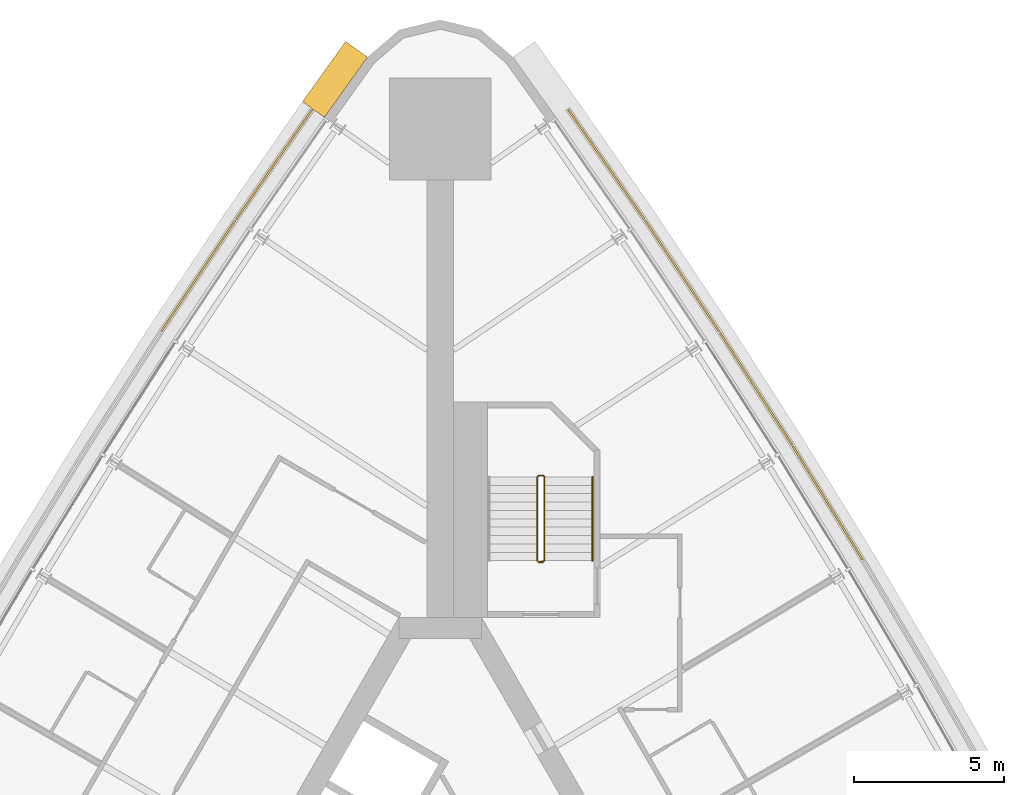
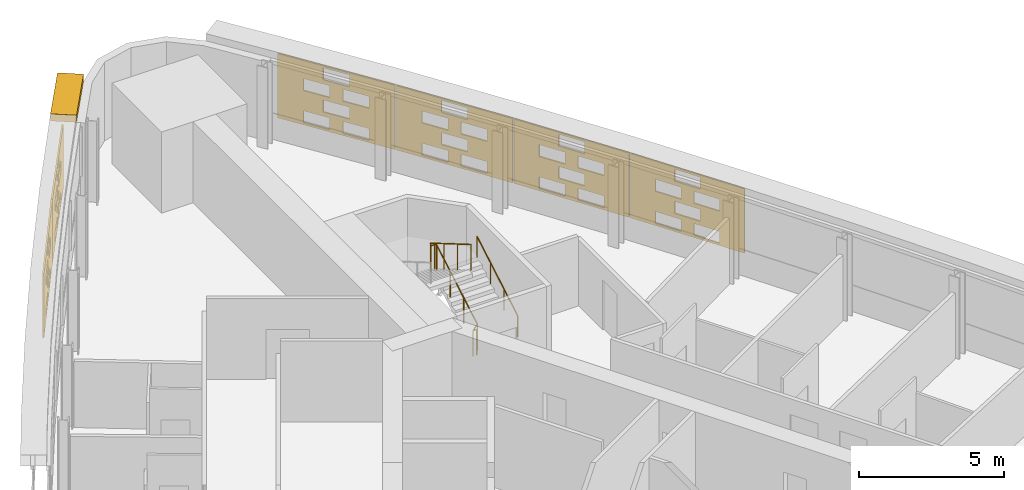
# One storey, part 15 of 15: 7 shading devices, 2 railings.
"""IFC4 building model written with IfcOpenShell, lengths in metres."""

from ifc_helpers import new_model, si_unit, direction, frame, origin, origin_2d, place, context, subcontext, project, spatial, polyline, circle, outline, extrude, material, material_profile, profile_set, type_object, element, save


model = new_model("IFC4")

# Units and contexts
model_context = context("Model", 3, precision=1e-05, world=origin(), true_north=direction((0.0, 1.0)))
body_context = subcontext(model_context, "Body", "Model", "MODEL_VIEW")
ifc_project = project(units=[si_unit("LENGTHUNIT", "METRE"), si_unit("AREAUNIT", "SQUARE_METRE"), si_unit("VOLUMEUNIT", "CUBIC_METRE"), si_unit("PLANEANGLEUNIT", "RADIAN"), si_unit("MASSUNIT", "GRAM", prefix="KILO")], contexts=[model_context])

# Site, building, storey
site_placement = place(None, origin())
site = spatial("IfcSite", under=ifc_project, at=site_placement, CompositionType="ELEMENT")
building_placement = place(site_placement, origin())
building = spatial("IfcBuilding", under=site, at=building_placement, Name="Noor Cloister Tower", CompositionType="ELEMENT")
storey_placement = place(building_placement, frame((0.0, 0.0, 31.199951171875)))
storey = spatial("IfcBuildingStorey", under=building, at=storey_placement, Name="L07", CompositionType="ELEMENT", Elevation=31.199951171875)

# Shading devices
ifc_material_1 = material(Name="Limestone", Category="masonry")
ifc_material_profile = material_profile(ifc_material_1, outline(polyline([(-2.22998046875, -1.35009765625), (2.22998046875, -1.35009765625), (2.22998046875, 1.35009765625), (-2.22998046875, 1.35009765625), (-2.22998046875, -1.35009765625)]), holes=[polyline([(-1.25, -1.263427734375), (-0.25, -1.263427734375), (-0.25, -0.76171875), (-1.25, -0.76171875), (-1.25, -1.263427734375)]), polyline([(0.25, -1.263427734375), (1.25, -1.263427734375), (1.25, -0.76171875), (0.25, -0.76171875), (0.25, -1.263427734375)]), polyline([(-0.5, -0.58837890625), (0.5, -0.58837890625), (0.5, -0.086669921875), (-0.5, -0.086669921875), (-0.5, -0.58837890625)]), polyline([(-1.25, 0.086669921875), (-0.25, 0.086669921875), (-0.25, 0.58837890625), (-1.25, 0.58837890625), (-1.25, 0.086669921875)]), polyline([(0.25, 0.086669921875), (1.25, 0.086669921875), (1.25, 0.58837890625), (0.25, 0.58837890625), (0.25, 0.086669921875)]), polyline([(-0.5, 0.76171875), (0.5, 0.76171875), (0.5, 1.263427734375), (-0.5, 1.263427734375), (-0.5, 0.76171875)])]), Name="Woven screen 25 percent open")
ifc_profile_set = profile_set([ifc_material_profile], Name="Limestone")
shading_device_type_1 = type_object("IfcShadingDeviceType", Name="SCREEN woven limestone 25 percent open", PredefinedType="USERDEFINED", material=ifc_profile_set)
shading_device_1_placement = place(storey_placement, frame((-5.52294921875, 26.586669921875, 1.85009765625), z_axis=(-0.821899128607, 0.56963305943, 0.0), x_axis=(-0.56963305943, -0.821899128607, 0.0)))
element("IfcShadingDevice", 1, at=shading_device_1_placement, inside=storey, type_object=shading_device_type_1, Name="SCREEN L07 1", ObjectType="SCREEN", PredefinedType="USERDEFINED", context=body_context, shape_type="SweptSolid", body=[
    extrude(outline(polyline([(-2.22998046875, -1.35009765625), (2.22998046875, -1.35009765625), (2.22998046875, 1.35009765625), (-2.22998046875, 1.35009765625), (-2.22998046875, -1.35009765625)]), holes=[polyline([(-1.25, -1.263427734375), (-0.25, -1.263427734375), (-0.25, -0.76171875), (-1.25, -0.76171875), (-1.25, -1.263427734375)]), polyline([(0.25, -1.263427734375), (1.25, -1.263427734375), (1.25, -0.76171875), (0.25, -0.76171875), (0.25, -1.263427734375)]), polyline([(-0.5, -0.58837890625), (0.5, -0.58837890625), (0.5, -0.086669921875), (-0.5, -0.086669921875), (-0.5, -0.58837890625)]), polyline([(-1.25, 0.086669921875), (-0.25, 0.086669921875), (-0.25, 0.58837890625), (-1.25, 0.58837890625), (-1.25, 0.086669921875)]), polyline([(0.25, 0.086669921875), (1.25, 0.086669921875), (1.25, 0.58837890625), (0.25, 0.58837890625), (0.25, 0.086669921875)]), polyline([(-0.5, 0.76171875), (0.5, 0.76171875), (0.5, 1.263427734375), (-0.5, 1.263427734375), (-0.5, 0.76171875)])]), origin(), (0.0, 0.0, 1.0), 0.06005859375),
])
shading_device_2_placement = place(storey_placement, frame((-8.060302734375, 22.8603515625, 1.85009765625), z_axis=(-0.832050294338, 0.554700196225, 0.0), x_axis=(-0.554700196225, -0.832050294338, 0.0)))
element("IfcShadingDevice", 2, at=shading_device_2_placement, inside=storey, type_object=shading_device_type_1, Name="SCREEN L07 2", ObjectType="SCREEN", PredefinedType="USERDEFINED", context=body_context, shape_type="SweptSolid", body=[
    extrude(outline(polyline([(-2.22998046875, -1.35009765625), (2.22998046875, -1.35009765625), (2.22998046875, 1.35009765625), (-2.22998046875, 1.35009765625), (-2.22998046875, -1.35009765625)]), holes=[polyline([(-1.25, -1.263427734375), (-0.25, -1.263427734375), (-0.25, -0.76171875), (-1.25, -0.76171875), (-1.25, -1.263427734375)]), polyline([(0.25, -1.263427734375), (1.25, -1.263427734375), (1.25, -0.76171875), (0.25, -0.76171875), (0.25, -1.263427734375)]), polyline([(-0.5, -0.58837890625), (0.5, -0.58837890625), (0.5, -0.086669921875), (-0.5, -0.086669921875), (-0.5, -0.58837890625)]), polyline([(-1.25, 0.086669921875), (-0.25, 0.086669921875), (-0.25, 0.58837890625), (-1.25, 0.58837890625), (-1.25, 0.086669921875)]), polyline([(0.25, 0.086669921875), (1.25, 0.086669921875), (1.25, 0.58837890625), (0.25, 0.58837890625), (0.25, 0.086669921875)]), polyline([(-0.5, 0.76171875), (0.5, 0.76171875), (0.5, 1.263427734375), (-0.5, 1.263427734375), (-0.5, 0.76171875)])]), origin(), (0.0, 0.0, 1.0), 0.059814453125),
])
for number, where, z_axis, x_axis, name in (
    (3, (12.92529296875, 15.269775390625, 1.85009765625), (0.852075986308, 0.523418105875, 0.0), (-0.523418105875, 0.852075986308, 0.0), "SCREEN L07 7"),
    (4, (10.528076171875, 19.087646484375, 1.85009765625), (0.841310503427, 0.540552159207, 0.0), (-0.540552159207, 0.841310503427, 0.0), "SCREEN L07 8"),
):
    element("IfcShadingDevice", number, at=place(storey_placement, frame(where, z_axis=z_axis, x_axis=x_axis)), inside=storey, type_object=shading_device_type_1, Name=name, ObjectType="SCREEN", PredefinedType="USERDEFINED", context=body_context, shape_type="SweptSolid", body=[
        extrude(outline(polyline([(-2.22998046875, -1.35009765625), (2.22998046875, -1.35009765625), (2.22998046875, 1.35009765625), (-2.22998046875, 1.35009765625), (-2.22998046875, -1.35009765625)]), holes=[polyline([(-1.25, -1.263427734375), (-0.25, -1.263427734375), (-0.25, -0.76171875), (-1.25, -0.76171875), (-1.25, -1.263427734375)]), polyline([(0.25, -1.263427734375), (1.25, -1.263427734375), (1.25, -0.76171875), (0.25, -0.76171875), (0.25, -1.263427734375)]), polyline([(-0.5, -0.58837890625), (0.5, -0.58837890625), (0.5, -0.086669921875), (-0.5, -0.086669921875), (-0.5, -0.58837890625)]), polyline([(-1.25, 0.086669921875), (-0.25, 0.086669921875), (-0.25, 0.58837890625), (-1.25, 0.58837890625), (-1.25, 0.086669921875)]), polyline([(0.25, 0.086669921875), (1.25, 0.086669921875), (1.25, 0.58837890625), (0.25, 0.58837890625), (0.25, 0.086669921875)]), polyline([(-0.5, 0.76171875), (0.5, 0.76171875), (0.5, 1.263427734375), (-0.5, 1.263427734375), (-0.5, 0.76171875)])]), origin(), (0.0, 0.0, 1.0), 0.06005859375),
    ])
shading_device_3_placement = place(storey_placement, frame((8.060302734375, 22.8603515625, 1.85009765625), z_axis=(0.832050294338, 0.554700196225, 0.0), x_axis=(-0.554700196225, 0.832050294338, 0.0)))
element("IfcShadingDevice", 5, at=shading_device_3_placement, inside=storey, type_object=shading_device_type_1, Name="SCREEN L07 9", ObjectType="SCREEN", PredefinedType="USERDEFINED", context=body_context, shape_type="SweptSolid", body=[
    extrude(outline(polyline([(-2.22998046875, -1.35009765625), (2.22998046875, -1.35009765625), (2.22998046875, 1.35009765625), (-2.22998046875, 1.35009765625), (-2.22998046875, -1.35009765625)]), holes=[polyline([(-1.25, -1.263427734375), (-0.25, -1.263427734375), (-0.25, -0.76171875), (-1.25, -0.76171875), (-1.25, -1.263427734375)]), polyline([(0.25, -1.263427734375), (1.25, -1.263427734375), (1.25, -0.76171875), (0.25, -0.76171875), (0.25, -1.263427734375)]), polyline([(-0.5, -0.58837890625), (0.5, -0.58837890625), (0.5, -0.086669921875), (-0.5, -0.086669921875), (-0.5, -0.58837890625)]), polyline([(-1.25, 0.086669921875), (-0.25, 0.086669921875), (-0.25, 0.58837890625), (-1.25, 0.58837890625), (-1.25, 0.086669921875)]), polyline([(0.25, 0.086669921875), (1.25, 0.086669921875), (1.25, 0.58837890625), (0.25, 0.58837890625), (0.25, 0.086669921875)]), polyline([(-0.5, 0.76171875), (0.5, 0.76171875), (0.5, 1.263427734375), (-0.5, 1.263427734375), (-0.5, 0.76171875)])]), origin(), (0.0, 0.0, 1.0), 0.059814453125),
])
shading_device_4_placement = place(storey_placement, frame((5.52294921875, 26.586669921875, 1.85009765625), z_axis=(0.821899128607, 0.56963305943, 0.0), x_axis=(-0.56963305943, 0.821899128607, 0.0)))
element("IfcShadingDevice", 6, at=shading_device_4_placement, inside=storey, type_object=shading_device_type_1, Name="SCREEN L07 10", ObjectType="SCREEN", PredefinedType="USERDEFINED", context=body_context, shape_type="SweptSolid", body=[
    extrude(outline(polyline([(-2.22998046875, -1.35009765625), (2.22998046875, -1.35009765625), (2.22998046875, 1.35009765625), (-2.22998046875, 1.35009765625), (-2.22998046875, -1.35009765625)]), holes=[polyline([(-1.25, -1.263427734375), (-0.25, -1.263427734375), (-0.25, -0.76171875), (-1.25, -0.76171875), (-1.25, -1.263427734375)]), polyline([(0.25, -1.263427734375), (1.25, -1.263427734375), (1.25, -0.76171875), (0.25, -0.76171875), (0.25, -1.263427734375)]), polyline([(-0.5, -0.58837890625), (0.5, -0.58837890625), (0.5, -0.086669921875), (-0.5, -0.086669921875), (-0.5, -0.58837890625)]), polyline([(-1.25, 0.086669921875), (-0.25, 0.086669921875), (-0.25, 0.58837890625), (-1.25, 0.58837890625), (-1.25, 0.086669921875)]), polyline([(0.25, 0.086669921875), (1.25, 0.086669921875), (1.25, 0.58837890625), (0.25, 0.58837890625), (0.25, 0.086669921875)]), polyline([(-0.5, 0.76171875), (0.5, 0.76171875), (0.5, 1.263427734375), (-0.5, 1.263427734375), (-0.5, 0.76171875)])]), origin(), (0.0, 0.0, 1.0), 0.06005859375),
])
ifc_material_2 = material(Name="Limestone", Category="masonry")
shading_device_type_2 = type_object("IfcShadingDeviceType", Name="SUNSHADE limestone band 900", PredefinedType="USERDEFINED", material=ifc_material_2)
shading_device_5_placement = place(storey_placement, frame((0.0, 0.0, 3.300048828125)))
element("IfcShadingDevice", 7, at=shading_device_5_placement, inside=storey, type_object=shading_device_type_2, Name="SUNSHADE L07 4", ObjectType="SUNSHADE", PredefinedType="USERDEFINED", context=body_context, shape_type="SweptSolid", body=[
    extrude(outline(polyline([(-3.161865234375, 30.712158203125), (-4.6015625, 28.70166015625), (-3.869873046875, 28.177734375), (-2.43017578125, 30.188232421875), (-3.161865234375, 30.712158203125)])), origin(), (0.0, 0.0, 1.0), 0.300048828125),
])

# Railings
ifc_material_3 = material(Name="Stainless steel", Category="steel")
railing_type_1 = type_object("IfcRailingType", Name="Stair guard 1100", PredefinedType="GUARDRAIL", material=ifc_material_3)
railing_1_placement = place(storey_placement, frame((3.435546875, 13.306396484375, 0.0)))
element("IfcRailing", 8, at=railing_1_placement, inside=storey, type_object=railing_type_1, Name="Stair guard ST1 L07", PredefinedType="GUARDRAIL", context=body_context, shape_type="SweptSolid", body=[
    extrude(circle(Radius=0.02392578125, at=origin_2d()), frame((0.0, 0.0, 1.076171875), z_axis=(-1.0, 0.0, 0.0), x_axis=(0.0, -1.0, 0.0)), (0.0, 0.0, 1.0), 0.14990234375),
    extrude(circle(Radius=0.02392578125, at=origin_2d()), frame((-0.14990234375, 0.0, 1.076171875), z_axis=(0.759870394187, 0.190199549216, 0.621627795), x_axis=(-0.242814311512, 0.970072785993, 0.0)), (0.0, 0.0, 1.0), 0.26318359375),
    extrude(circle(Radius=0.02392578125, at=origin_2d()), frame((0.050048828125, 0.050048828125, 1.23974609375), z_axis=(0.0, 0.863360870873, 0.504586966384), x_axis=(-1.0, 0.0, 0.0)), (0.0, 0.0, 1.0), 3.2431640625),
    extrude(circle(Radius=0.02392578125, at=origin_2d()), frame((0.050048828125, 2.85009765625, 2.8759765625), z_axis=(-0.708833529934, 0.705375805398, 0.0), x_axis=(-0.705375805398, -0.708833529934, 0.0)), (0.0, 0.0, 1.0), 0.070556640625),
    extrude(circle(Radius=0.02392578125, at=origin_2d()), frame((0.0, 2.89990234375, 2.8759765625), z_axis=(-1.0, 0.0, 0.0), x_axis=(0.0, -1.0, 0.0)), (0.0, 0.0, 1.0), 0.14990234375),
    extrude(circle(Radius=0.02392578125, at=origin_2d()), frame((-0.14990234375, 2.89990234375, 2.8759765625), z_axis=(-0.280916556609, -0.279546231943, 0.91811752648), x_axis=(0.705375805398, -0.708833529934, 0.0)), (0.0, 0.0, 1.0), 0.17822265625),
    extrude(circle(Radius=0.02392578125, at=origin_2d()), frame((-0.199951171875, 2.85009765625, 3.03955078125), z_axis=(0.0, -0.863360870873, 0.504586966384), x_axis=(1.0, 0.0, 0.0)), (0.0, 0.0, 1.0), 3.2431640625),
    extrude(circle(Radius=0.02099609375, at=origin_2d()), origin(), (0.0, 0.0, 1.0), 1.052001953125),
    extrude(circle(Radius=0.02099609375, at=origin_2d()), frame((-0.14990234375, 0.0, 0.0)), (0.0, 0.0, 1.0), 1.052001953125),
    extrude(circle(Radius=0.02099609375, at=origin_2d()), frame((0.050048828125, 0.050048828125, 0.16357421875)), (0.0, 0.0, 1.0), 1.052001953125),
    extrude(circle(Radius=0.02099609375, at=origin_2d()), frame((0.050048828125, 0.9833984375, 0.708984375)), (0.0, 0.0, 1.0), 1.052001953125),
    extrude(circle(Radius=0.02099609375, at=origin_2d()), frame((0.050048828125, 1.916748046875, 1.254638671875)), (0.0, 0.0, 1.0), 1.052001953125),
    extrude(circle(Radius=0.02099609375, at=origin_2d()), frame((0.050048828125, 2.85009765625, 1.800048828125)), (0.0, 0.0, 1.0), 1.052001953125),
    extrude(circle(Radius=0.02099609375, at=origin_2d()), frame((0.0, 2.89990234375, 1.800048828125)), (0.0, 0.0, 1.0), 1.052001953125),
    extrude(circle(Radius=0.02099609375, at=origin_2d()), frame((-0.14990234375, 2.89990234375, 1.800048828125)), (0.0, 0.0, 1.0), 1.052001953125),
    extrude(circle(Radius=0.02099609375, at=origin_2d()), frame((-0.199951171875, 2.85009765625, 1.963623046875)), (0.0, 0.0, 1.0), 1.052001953125),
    extrude(circle(Radius=0.02099609375, at=origin_2d()), frame((-0.199951171875, 1.916748046875, 2.509033203125)), (0.0, 0.0, 1.0), 1.052001953125),
    extrude(circle(Radius=0.02099609375, at=origin_2d()), frame((-0.199951171875, 0.9833984375, 3.0546875)), (0.0, 0.0, 1.0), 1.052001953125),
    extrude(circle(Radius=0.02099609375, at=origin_2d()), frame((-0.199951171875, 0.050048828125, 3.60009765625)), (0.0, 0.0, 1.0), 1.052001953125),
])
ifc_material_4 = material(Name="Stainless steel", Category="steel")
railing_type_2 = type_object("IfcRailingType", Name="Stair handrail 900", PredefinedType="HANDRAIL", material=ifc_material_4)
railing_2_placement = place(storey_placement, frame((5.085693359375, 13.3564453125, 0.16357421875)))
element("IfcRailing", 9, at=railing_2_placement, inside=storey, type_object=railing_type_2, Name="Stair handrail ST1 L07 1", PredefinedType="HANDRAIL", context=body_context, shape_type="SweptSolid", body=[
    extrude(circle(Radius=0.02392578125, at=origin_2d()), frame((0.0, 0.0, 0.8759765625), z_axis=(0.0, 0.863360870873, 0.504586966384), x_axis=(-1.0, 0.0, 0.0)), (0.0, 0.0, 1.0), 3.2431640625),
    extrude(circle(Radius=0.02099609375, at=origin_2d()), origin(), (0.0, 0.0, 1.0), 0.851806640625),
    extrude(circle(Radius=0.02099609375, at=origin_2d()), frame((0.0, 0.933349609375, 0.54541015625)), (0.0, 0.0, 1.0), 0.851806640625),
    extrude(circle(Radius=0.02099609375, at=origin_2d()), frame((0.0, 1.86669921875, 1.091064453125)), (0.0, 0.0, 1.0), 0.851806640625),
    extrude(circle(Radius=0.02099609375, at=origin_2d()), frame((0.0, 2.800048828125, 1.636474609375)), (0.0, 0.0, 1.0), 0.851806640625),
])

save(model, "model.ifc")
